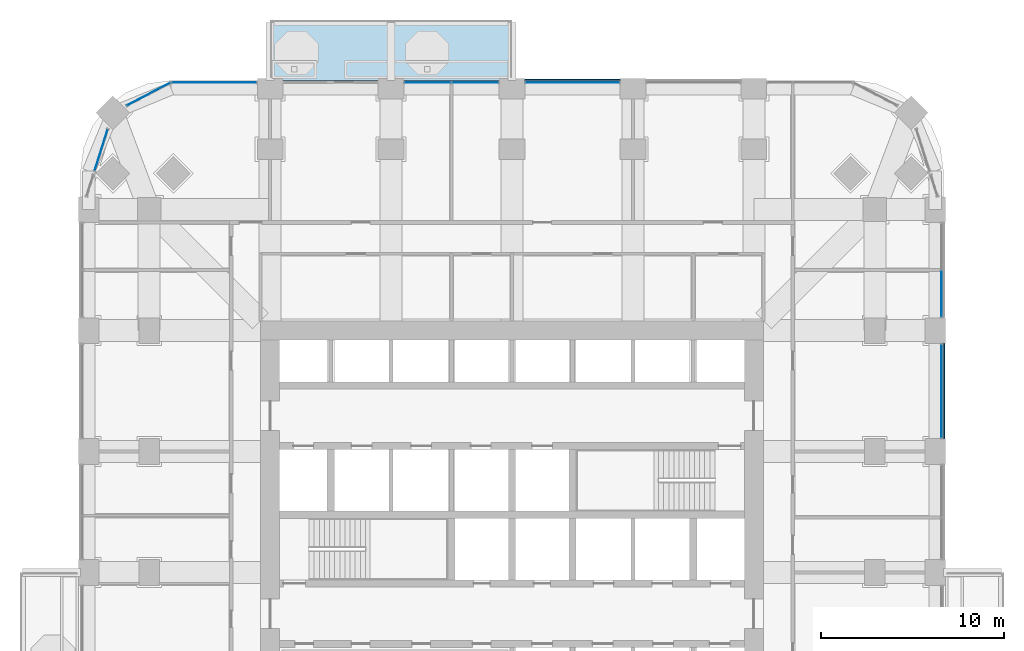
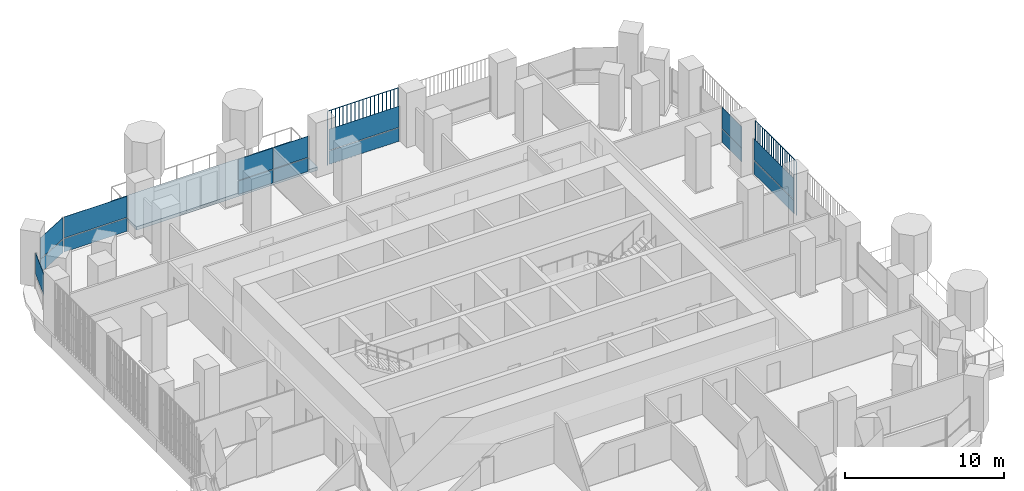
# One storey, part 11 of 21: 17 plates, 1 slab, 7 elements without a shape of their own.
"""IFC4 building model written with IfcOpenShell, lengths in metres."""

from ifc_helpers import new_model, si_unit, direction, frame, origin, origin_2d, place, context, subcontext, project, spatial, polyline, rectangle, outline, extrude, material, layer, layer_set, type_object, element, aggregate, save


model = new_model("IFC4")

# Units and contexts
model_context = context("Model", 3, precision=1e-05, world=origin(), true_north=direction((0.0, 1.0)))
body_context = subcontext(model_context, "Body", "Model", "MODEL_VIEW")
ifc_project = project(units=[si_unit("LENGTHUNIT", "METRE"), si_unit("AREAUNIT", "SQUARE_METRE"), si_unit("VOLUMEUNIT", "CUBIC_METRE"), si_unit("PLANEANGLEUNIT", "RADIAN"), si_unit("MASSUNIT", "GRAM", prefix="KILO")], contexts=[model_context])

# Site, building, storey
site_placement = place(None, origin())
site = spatial("IfcSite", under=ifc_project, at=site_placement, CompositionType="ELEMENT")
building_placement = place(site_placement, origin())
building = spatial("IfcBuilding", under=site, at=building_placement, Name="Cobogo Forest Laboratory Tower", CompositionType="ELEMENT")
storey_placement = place(building_placement, frame((0.0, 0.0, 115.800048828125)))
storey = spatial("IfcBuildingStorey", under=building, at=storey_placement, Name="L26", CompositionType="ELEMENT", Elevation=115.800048828125)

# Slab
ifc_material_1 = material(Name="Concrete HA-40 (C40/50)", Category="concrete")
ifc_layer_1 = layer(ifc_material_1, 0.25)
ifc_layer_set_1 = layer_set([ifc_layer_1], Name="Balcony slab 250")
slab_type = type_object("IfcSlabType", Name="Balcony slab 250", PredefinedType="FLOOR", material=ifc_layer_set_1)
slab_placement = place(storey_placement, frame((0.0, 0.0, -0.25)))
element("IfcSlab", 1, at=slab_placement, inside=storey, type_object=slab_type, Name="Balcony BAL-N1 L26", PredefinedType="FLOOR", context=body_context, shape_type="SweptSolid", body=[
    extrude(outline(polyline([(13.199951171875, 46.64990234375), (26.39990234375, 46.64990234375), (26.39990234375, 49.949951171875), (13.199951171875, 49.949951171875), (13.199951171875, 46.64990234375)])), origin(), (0.0, 0.0, 1.0), 0.25),
])

# Curtain wall, plates
ifc_material_2 = material(Name="Aluminium curtain wall", Category="aluminium")
curtain_wall_type = type_object("IfcCurtainWallType", Name="CW-1 unitised curtain wall, clear glazing, laboratory floors zones A and B", PredefinedType="USERDEFINED", material=ifc_material_2)
curtain_wall_1_placement = place(storey_placement, origin())
curtain_wall_1 = element("IfcCurtainWall", 2, at=curtain_wall_1_placement, inside=storey, type_object=curtain_wall_type, Name="Curtain wall 13 L26", ObjectType="UNITISED CURTAIN WALL", PredefinedType="USERDEFINED")
ifc_material_3 = material(Name="Clear insulated glass", Category="glass")
ifc_layer_2 = layer(ifc_material_3, 0.028076171875)
ifc_layer_set_2 = layer_set([ifc_layer_2], Name="GP-1 clear insulated glass unit 28")
plate_type_1 = type_object("IfcPlateType", Name="GP-1 clear insulated glass unit 28", PredefinedType="CURTAIN_PANEL", material=ifc_layer_set_2)
plate_1_placement = place(storey_placement, frame((49.85009765625, 29.699951171875, 0.0), z_axis=(0.0, 0.0, 1.0), x_axis=(0.0, 1.0, 0.0)))
plate_1 = element("IfcPlate", 3, at=plate_1_placement, type_object=plate_type_1, Name="CW-1 panel 1.1", PredefinedType="CURTAIN_PANEL", context=body_context, shape_type="SweptSolid", body=[
    extrude(rectangle(XDim=5.080078125, YDim=0.028076171875, at=origin_2d()), origin(), (0.0, 0.0, 1.0), 1.02001953125),
])
plate_2_placement = place(storey_placement, frame((49.85009765625, 29.699951171875, 1.079833984375), z_axis=(0.0, 0.0, 1.0), x_axis=(0.0, 1.0, 0.0)))
plate_2 = element("IfcPlate", 4, at=plate_2_placement, type_object=plate_type_1, Name="CW-1 panel 1.2", PredefinedType="CURTAIN_PANEL", context=body_context, shape_type="SweptSolid", body=[
    extrude(rectangle(XDim=5.080078125, YDim=0.028076171875, at=origin_2d()), origin(), (0.0, 0.0, 1.0), 1.6201171875),
])
aggregate(curtain_wall_1, [plate_1, plate_2])

curtain_wall_2_placement = place(storey_placement, origin())
curtain_wall_2 = element("IfcCurtainWall", 5, at=curtain_wall_2_placement, inside=storey, type_object=curtain_wall_type, Name="Curtain wall 14 L26", ObjectType="UNITISED CURTAIN WALL", PredefinedType="USERDEFINED")
plate_3_placement = place(storey_placement, frame((49.85009765625, 35.014892578125, 0.0), z_axis=(0.0, 0.0, 1.0), x_axis=(0.0, 1.0, 0.0)))
plate_3 = element("IfcPlate", 6, at=plate_3_placement, type_object=plate_type_1, Name="CW-1 panel 1.1", PredefinedType="CURTAIN_PANEL", context=body_context, shape_type="SweptSolid", body=[
    extrude(rectangle(XDim=2.510009765625, YDim=0.028076171875, at=origin_2d()), origin(), (0.0, 0.0, 1.0), 1.02001953125),
])
plate_4_placement = place(storey_placement, frame((49.85009765625, 35.014892578125, 1.079833984375), z_axis=(0.0, 0.0, 1.0), x_axis=(0.0, 1.0, 0.0)))
plate_4 = element("IfcPlate", 7, at=plate_4_placement, type_object=plate_type_1, Name="CW-1 panel 1.2", PredefinedType="CURTAIN_PANEL", context=body_context, shape_type="SweptSolid", body=[
    extrude(rectangle(XDim=2.510009765625, YDim=0.028076171875, at=origin_2d()), origin(), (0.0, 0.0, 1.0), 1.6201171875),
])
aggregate(curtain_wall_2, [plate_3, plate_4])

curtain_wall_3_placement = place(storey_placement, origin())
curtain_wall_3 = element("IfcCurtainWall", 8, at=curtain_wall_3_placement, inside=storey, type_object=curtain_wall_type, Name="Curtain wall 20 L26", ObjectType="UNITISED CURTAIN WALL", PredefinedType="USERDEFINED")
plate_5_placement = place(storey_placement, frame((29.699951171875, 46.550048828125, 0.0), z_axis=(0.0, 0.0, 1.0), x_axis=(-1.0, 0.0, 0.0)))
plate_5 = element("IfcPlate", 9, at=plate_5_placement, type_object=plate_type_1, Name="CW-1 panel 1.1", PredefinedType="CURTAIN_PANEL", context=body_context, shape_type="SweptSolid", body=[
    extrude(rectangle(XDim=5.080078125, YDim=0.028076171875, at=origin_2d()), origin(), (0.0, 0.0, 1.0), 1.02001953125),
])
plate_6_placement = place(storey_placement, frame((29.699951171875, 46.550048828125, 1.079833984375), z_axis=(0.0, 0.0, 1.0), x_axis=(-1.0, 0.0, 0.0)))
plate_6 = element("IfcPlate", 10, at=plate_6_placement, type_object=plate_type_1, Name="CW-1 panel 1.2", PredefinedType="CURTAIN_PANEL", context=body_context, shape_type="SweptSolid", body=[
    extrude(rectangle(XDim=5.080078125, YDim=0.028076171875, at=origin_2d()), origin(), (0.0, 0.0, 1.0), 1.6201171875),
])
aggregate(curtain_wall_3, [plate_5, plate_6])

curtain_wall_4_placement = place(storey_placement, origin())
curtain_wall_4 = element("IfcCurtainWall", 11, at=curtain_wall_4_placement, inside=storey, type_object=curtain_wall_type, Name="Curtain wall 21 L26", ObjectType="UNITISED CURTAIN WALL", PredefinedType="USERDEFINED")
plate_7_placement = place(storey_placement, frame((24.385009765625, 46.550048828125, 0.0), z_axis=(0.0, 0.0, 1.0), x_axis=(-1.0, 0.0, 0.0)))
plate_7 = element("IfcPlate", 12, at=plate_7_placement, type_object=plate_type_1, Name="CW-1 panel 1.1", PredefinedType="CURTAIN_PANEL", context=body_context, shape_type="SweptSolid", body=[
    extrude(rectangle(XDim=2.510009765625, YDim=0.028076171875, at=origin_2d()), origin(), (0.0, 0.0, 1.0), 1.02001953125),
])
plate_8_placement = place(storey_placement, frame((24.385009765625, 46.550048828125, 1.079833984375), z_axis=(0.0, 0.0, 1.0), x_axis=(-1.0, 0.0, 0.0)))
plate_8 = element("IfcPlate", 13, at=plate_8_placement, type_object=plate_type_1, Name="CW-1 panel 1.2", PredefinedType="CURTAIN_PANEL", context=body_context, shape_type="SweptSolid", body=[
    extrude(rectangle(XDim=2.510009765625, YDim=0.028076171875, at=origin_2d()), origin(), (0.0, 0.0, 1.0), 1.6201171875),
])
plate_9_placement = place(storey_placement, frame((21.81494140625, 46.550048828125, 0.0), z_axis=(0.0, 0.0, 1.0), x_axis=(-1.0, 0.0, 0.0)))
plate_9 = element("IfcPlate", 14, at=plate_9_placement, type_object=plate_type_1, Name="CW-1 panel 2.1", PredefinedType="CURTAIN_PANEL", context=body_context, shape_type="SweptSolid", body=[
    extrude(rectangle(XDim=2.510009765625, YDim=0.028076171875, at=origin_2d()), origin(), (0.0, 0.0, 1.0), 1.02001953125),
])
plate_10_placement = place(storey_placement, frame((21.81494140625, 46.550048828125, 1.079833984375), z_axis=(0.0, 0.0, 1.0), x_axis=(-1.0, 0.0, 0.0)))
plate_10 = element("IfcPlate", 15, at=plate_10_placement, type_object=plate_type_1, Name="CW-1 panel 2.2", PredefinedType="CURTAIN_PANEL", context=body_context, shape_type="SweptSolid", body=[
    extrude(rectangle(XDim=2.510009765625, YDim=0.028076171875, at=origin_2d()), origin(), (0.0, 0.0, 1.0), 1.6201171875),
])
aggregate(curtain_wall_4, [plate_7, plate_8, plate_9, plate_10])

curtain_wall_5_placement = place(storey_placement, origin())
curtain_wall_5 = element("IfcCurtainWall", 16, at=curtain_wall_5_placement, inside=storey, type_object=curtain_wall_type, Name="Curtain wall 23 L26", ObjectType="UNITISED CURTAIN WALL", PredefinedType="USERDEFINED")
plate_11_placement = place(storey_placement, frame((10.14990234375, 46.550048828125, 0.0), z_axis=(0.0, 0.0, 1.0), x_axis=(-1.0, 0.0, 0.0)))
plate_11 = element("IfcPlate", 17, at=plate_11_placement, type_object=plate_type_1, Name="CW-1 panel 1.1", PredefinedType="CURTAIN_PANEL", context=body_context, shape_type="SweptSolid", body=[
    extrude(rectangle(XDim=4.580078125, YDim=0.028076171875, at=origin_2d()), origin(), (0.0, 0.0, 1.0), 1.02001953125),
])
plate_12_placement = place(storey_placement, frame((10.14990234375, 46.550048828125, 1.079833984375), z_axis=(0.0, 0.0, 1.0), x_axis=(-1.0, 0.0, 0.0)))
plate_12 = element("IfcPlate", 18, at=plate_12_placement, type_object=plate_type_1, Name="CW-1 panel 1.2", PredefinedType="CURTAIN_PANEL", context=body_context, shape_type="SweptSolid", body=[
    extrude(rectangle(XDim=4.580078125, YDim=0.028076171875, at=origin_2d()), origin(), (0.0, 0.0, 1.0), 1.6201171875),
])
aggregate(curtain_wall_5, [plate_11, plate_12])

curtain_wall_6_placement = place(storey_placement, origin())
curtain_wall_6 = element("IfcCurtainWall", 19, at=curtain_wall_6_placement, inside=storey, type_object=curtain_wall_type, Name="Curtain wall 24 L26", ObjectType="UNITISED CURTAIN WALL", PredefinedType="USERDEFINED")
plate_13_placement = place(storey_placement, frame((6.57080078125, 45.90576171875, 0.0), z_axis=(0.0, 0.0, 1.0), x_axis=(-0.885686547075, -0.464283685186, 0.0)))
plate_13 = element("IfcPlate", 20, at=plate_13_placement, type_object=plate_type_1, Name="CW-1 panel 1.1", PredefinedType="CURTAIN_PANEL", context=body_context, shape_type="SweptSolid", body=[
    extrude(rectangle(XDim=2.655517578125, YDim=0.028076171875, at=origin_2d()), origin(), (0.0, 0.0, 1.0), 1.02001953125),
])
plate_14_placement = place(storey_placement, frame((6.57080078125, 45.90576171875, 1.079833984375), z_axis=(0.0, 0.0, 1.0), x_axis=(-0.885686547075, -0.464283685186, 0.0)))
plate_14 = element("IfcPlate", 21, at=plate_14_placement, type_object=plate_type_1, Name="CW-1 panel 1.2", PredefinedType="CURTAIN_PANEL", context=body_context, shape_type="SweptSolid", body=[
    extrude(rectangle(XDim=2.655517578125, YDim=0.028076171875, at=origin_2d()), origin(), (0.0, 0.0, 1.0), 1.6201171875),
])
aggregate(curtain_wall_6, [plate_13, plate_14])

# Curtain wall, plate
curtain_wall_7_placement = place(storey_placement, origin())
curtain_wall_7 = element("IfcCurtainWall", 22, at=curtain_wall_7_placement, inside=storey, type_object=curtain_wall_type, Name="Curtain wall 25 L26", ObjectType="UNITISED CURTAIN WALL", PredefinedType="USERDEFINED")
plate_15_placement = place(storey_placement, frame((3.978759765625, 42.857421875, 1.079833984375), z_axis=(0.0, 0.0, 1.0), x_axis=(-0.301135291996, -0.953581425949, 0.0)))
plate_15 = element("IfcPlate", 23, at=plate_15_placement, type_object=plate_type_1, Name="CW-1 panel 1.2", PredefinedType="CURTAIN_PANEL", context=body_context, shape_type="SweptSolid", body=[
    extrude(rectangle(XDim=2.3681640625, YDim=0.028076171875, at=origin_2d()), origin(), (0.0, 0.0, 1.0), 1.6201171875),
])
aggregate(curtain_wall_7, [plate_15])

# Plates
ifc_material_4 = material(Name="Terracotta", Category="masonry")
plate_type_2 = type_object("IfcPlateType", Name="TB1 terracotta baguette screen", PredefinedType="USERDEFINED", material=ifc_material_4)
plate_16_placement = place(storey_placement, frame((49.977783203125, 27.13134765625, -0.150146484375)))
element("IfcPlate", 24, at=plate_16_placement, inside=storey, type_object=plate_type_2, Name="Baguette screen E4 L26", ObjectType="BAGUETTE SCREEN", PredefinedType="USERDEFINED", context=body_context, shape_type="SweptSolid", body=[
    extrude(outline(polyline([(0.02880859375, 0.011962890625), (0.011962890625, 0.02880859375), (-0.011962890625, 0.02880859375), (-0.02880859375, 0.011962890625), (-0.02880859375, -0.011962890625), (-0.011962890625, -0.02880859375), (0.011962890625, -0.02880859375), (0.02880859375, -0.011962890625), (0.02880859375, 0.011962890625)])), frame((0.0, 0.0, 4.168701171875), z_axis=(0.0, 1.0, 0.0), x_axis=(-1.0, 0.0, 0.0)), (0.0, 0.0, 1.0), 5.137451171875),
    extrude(outline(polyline([(0.02880859375, 0.011962890625), (0.011962890625, 0.02880859375), (-0.011962890625, 0.02880859375), (-0.02880859375, 0.011962890625), (-0.02880859375, -0.011962890625), (-0.011962890625, -0.02880859375), (0.011962890625, -0.02880859375), (0.02880859375, -0.011962890625), (0.02880859375, 0.011962890625)])), origin(), (0.0, 0.0, 1.0), 4.137451171875),
    extrude(outline(polyline([(0.02880859375, 0.011962890625), (0.011962890625, 0.02880859375), (-0.011962890625, 0.02880859375), (-0.02880859375, 0.011962890625), (-0.02880859375, -0.011962890625), (-0.011962890625, -0.02880859375), (0.011962890625, -0.02880859375), (0.02880859375, -0.011962890625), (0.02880859375, 0.011962890625)])), frame((0.0, 0.285400390625, 0.0)), (0.0, 0.0, 1.0), 4.137451171875),
    extrude(outline(polyline([(0.02880859375, 0.011962890625), (0.011962890625, 0.02880859375), (-0.011962890625, 0.02880859375), (-0.02880859375, 0.011962890625), (-0.02880859375, -0.011962890625), (-0.011962890625, -0.02880859375), (0.011962890625, -0.02880859375), (0.02880859375, -0.011962890625), (0.02880859375, 0.011962890625)])), frame((0.0, 0.57080078125, 0.0)), (0.0, 0.0, 1.0), 4.137451171875),
    extrude(outline(polyline([(0.02880859375, 0.011962890625), (0.011962890625, 0.02880859375), (-0.011962890625, 0.02880859375), (-0.02880859375, 0.011962890625), (-0.02880859375, -0.011962890625), (-0.011962890625, -0.02880859375), (0.011962890625, -0.02880859375), (0.02880859375, -0.011962890625), (0.02880859375, 0.011962890625)])), frame((0.0, 0.856201171875, 0.0)), (0.0, 0.0, 1.0), 4.137451171875),
    extrude(outline(polyline([(0.02880859375, 0.011962890625), (0.011962890625, 0.02880859375), (-0.011962890625, 0.02880859375), (-0.02880859375, 0.011962890625), (-0.02880859375, -0.011962890625), (-0.011962890625, -0.02880859375), (0.011962890625, -0.02880859375), (0.02880859375, -0.011962890625), (0.02880859375, 0.011962890625)])), frame((0.0, 1.1416015625, 0.0)), (0.0, 0.0, 1.0), 4.137451171875),
    extrude(outline(polyline([(0.02880859375, 0.011962890625), (0.011962890625, 0.02880859375), (-0.011962890625, 0.02880859375), (-0.02880859375, 0.011962890625), (-0.02880859375, -0.011962890625), (-0.011962890625, -0.02880859375), (0.011962890625, -0.02880859375), (0.02880859375, -0.011962890625), (0.02880859375, 0.011962890625)])), frame((0.0, 1.427001953125, 0.0)), (0.0, 0.0, 1.0), 4.137451171875),
    extrude(outline(polyline([(0.02880859375, 0.011962890625), (0.011962890625, 0.02880859375), (-0.011962890625, 0.02880859375), (-0.02880859375, 0.011962890625), (-0.02880859375, -0.011962890625), (-0.011962890625, -0.02880859375), (0.011962890625, -0.02880859375), (0.02880859375, -0.011962890625), (0.02880859375, 0.011962890625)])), frame((0.0, 1.71240234375, 0.0)), (0.0, 0.0, 1.0), 4.137451171875),
    extrude(outline(polyline([(0.02880859375, 0.011962890625), (0.011962890625, 0.02880859375), (-0.011962890625, 0.02880859375), (-0.02880859375, 0.011962890625), (-0.02880859375, -0.011962890625), (-0.011962890625, -0.02880859375), (0.011962890625, -0.02880859375), (0.02880859375, -0.011962890625), (0.02880859375, 0.011962890625)])), frame((0.0, 1.997802734375, 0.0)), (0.0, 0.0, 1.0), 4.137451171875),
    extrude(outline(polyline([(0.02880859375, 0.011962890625), (0.011962890625, 0.02880859375), (-0.011962890625, 0.02880859375), (-0.02880859375, 0.011962890625), (-0.02880859375, -0.011962890625), (-0.011962890625, -0.02880859375), (0.011962890625, -0.02880859375), (0.02880859375, -0.011962890625), (0.02880859375, 0.011962890625)])), frame((0.0, 2.283203125, 0.0)), (0.0, 0.0, 1.0), 4.137451171875),
    extrude(outline(polyline([(0.02880859375, 0.011962890625), (0.011962890625, 0.02880859375), (-0.011962890625, 0.02880859375), (-0.02880859375, 0.011962890625), (-0.02880859375, -0.011962890625), (-0.011962890625, -0.02880859375), (0.011962890625, -0.02880859375), (0.02880859375, -0.011962890625), (0.02880859375, 0.011962890625)])), frame((0.0, 2.56884765625, 0.0)), (0.0, 0.0, 1.0), 4.137451171875),
    extrude(outline(polyline([(0.02880859375, 0.011962890625), (0.011962890625, 0.02880859375), (-0.011962890625, 0.02880859375), (-0.02880859375, 0.011962890625), (-0.02880859375, -0.011962890625), (-0.011962890625, -0.02880859375), (0.011962890625, -0.02880859375), (0.02880859375, -0.011962890625), (0.02880859375, 0.011962890625)])), frame((0.0, 2.854248046875, 0.0)), (0.0, 0.0, 1.0), 4.137451171875),
    extrude(outline(polyline([(0.02880859375, 0.011962890625), (0.011962890625, 0.02880859375), (-0.011962890625, 0.02880859375), (-0.02880859375, 0.011962890625), (-0.02880859375, -0.011962890625), (-0.011962890625, -0.02880859375), (0.011962890625, -0.02880859375), (0.02880859375, -0.011962890625), (0.02880859375, 0.011962890625)])), frame((0.0, 3.1396484375, 0.0)), (0.0, 0.0, 1.0), 4.137451171875),
    extrude(outline(polyline([(0.02880859375, 0.011962890625), (0.011962890625, 0.02880859375), (-0.011962890625, 0.02880859375), (-0.02880859375, 0.011962890625), (-0.02880859375, -0.011962890625), (-0.011962890625, -0.02880859375), (0.011962890625, -0.02880859375), (0.02880859375, -0.011962890625), (0.02880859375, 0.011962890625)])), frame((0.0, 3.425048828125, 0.0)), (0.0, 0.0, 1.0), 4.137451171875),
    extrude(outline(polyline([(0.02880859375, 0.011962890625), (0.011962890625, 0.02880859375), (-0.011962890625, 0.02880859375), (-0.02880859375, 0.011962890625), (-0.02880859375, -0.011962890625), (-0.011962890625, -0.02880859375), (0.011962890625, -0.02880859375), (0.02880859375, -0.011962890625), (0.02880859375, 0.011962890625)])), frame((0.0, 3.71044921875, 0.0)), (0.0, 0.0, 1.0), 4.137451171875),
    extrude(outline(polyline([(0.02880859375, 0.011962890625), (0.011962890625, 0.02880859375), (-0.011962890625, 0.02880859375), (-0.02880859375, 0.011962890625), (-0.02880859375, -0.011962890625), (-0.011962890625, -0.02880859375), (0.011962890625, -0.02880859375), (0.02880859375, -0.011962890625), (0.02880859375, 0.011962890625)])), frame((0.0, 3.995849609375, 0.0)), (0.0, 0.0, 1.0), 4.137451171875),
    extrude(outline(polyline([(0.02880859375, 0.011962890625), (0.011962890625, 0.02880859375), (-0.011962890625, 0.02880859375), (-0.02880859375, 0.011962890625), (-0.02880859375, -0.011962890625), (-0.011962890625, -0.02880859375), (0.011962890625, -0.02880859375), (0.02880859375, -0.011962890625), (0.02880859375, 0.011962890625)])), frame((0.0, 4.28125, 0.0)), (0.0, 0.0, 1.0), 4.137451171875),
    extrude(outline(polyline([(0.02880859375, 0.011962890625), (0.011962890625, 0.02880859375), (-0.011962890625, 0.02880859375), (-0.02880859375, 0.011962890625), (-0.02880859375, -0.011962890625), (-0.011962890625, -0.02880859375), (0.011962890625, -0.02880859375), (0.02880859375, -0.011962890625), (0.02880859375, 0.011962890625)])), frame((0.0, 4.566650390625, 0.0)), (0.0, 0.0, 1.0), 4.137451171875),
    extrude(outline(polyline([(0.02880859375, 0.011962890625), (0.011962890625, 0.02880859375), (-0.011962890625, 0.02880859375), (-0.02880859375, 0.011962890625), (-0.02880859375, -0.011962890625), (-0.011962890625, -0.02880859375), (0.011962890625, -0.02880859375), (0.02880859375, -0.011962890625), (0.02880859375, 0.011962890625)])), frame((0.0, 4.85205078125, 0.0)), (0.0, 0.0, 1.0), 4.137451171875),
    extrude(outline(polyline([(0.02880859375, 0.011962890625), (0.011962890625, 0.02880859375), (-0.011962890625, 0.02880859375), (-0.02880859375, 0.011962890625), (-0.02880859375, -0.011962890625), (-0.011962890625, -0.02880859375), (0.011962890625, -0.02880859375), (0.02880859375, -0.011962890625), (0.02880859375, 0.011962890625)])), frame((0.0, 5.137451171875, 0.0)), (0.0, 0.0, 1.0), 4.137451171875),
])
plate_17_placement = place(storey_placement, frame((27.13134765625, 46.677978515625, -0.150146484375)))
element("IfcPlate", 25, at=plate_17_placement, inside=storey, type_object=plate_type_2, Name="Baguette screen N3 L26", ObjectType="BAGUETTE SCREEN", PredefinedType="USERDEFINED", context=body_context, shape_type="SweptSolid", body=[
    extrude(outline(polyline([(0.02880859375, 0.011962890625), (0.011962890625, 0.02880859375), (-0.011962890625, 0.02880859375), (-0.02880859375, 0.011962890625), (-0.02880859375, -0.011962890625), (-0.011962890625, -0.02880859375), (0.011962890625, -0.02880859375), (0.02880859375, -0.011962890625), (0.02880859375, 0.011962890625)])), frame((0.0, 0.0, 4.168701171875), z_axis=(1.0, 0.0, 0.0), x_axis=(0.0, 1.0, 0.0)), (0.0, 0.0, 1.0), 5.137451171875),
    extrude(outline(polyline([(0.02880859375, 0.011962890625), (0.011962890625, 0.02880859375), (-0.011962890625, 0.02880859375), (-0.02880859375, 0.011962890625), (-0.02880859375, -0.011962890625), (-0.011962890625, -0.02880859375), (0.011962890625, -0.02880859375), (0.02880859375, -0.011962890625), (0.02880859375, 0.011962890625)])), origin(), (0.0, 0.0, 1.0), 4.137451171875),
    extrude(outline(polyline([(0.02880859375, 0.011962890625), (0.011962890625, 0.02880859375), (-0.011962890625, 0.02880859375), (-0.02880859375, 0.011962890625), (-0.02880859375, -0.011962890625), (-0.011962890625, -0.02880859375), (0.011962890625, -0.02880859375), (0.02880859375, -0.011962890625), (0.02880859375, 0.011962890625)])), frame((0.285400390625, 0.0, 0.0)), (0.0, 0.0, 1.0), 4.137451171875),
    extrude(outline(polyline([(0.02880859375, 0.011962890625), (0.011962890625, 0.02880859375), (-0.011962890625, 0.02880859375), (-0.02880859375, 0.011962890625), (-0.02880859375, -0.011962890625), (-0.011962890625, -0.02880859375), (0.011962890625, -0.02880859375), (0.02880859375, -0.011962890625), (0.02880859375, 0.011962890625)])), frame((0.57080078125, 0.0, 0.0)), (0.0, 0.0, 1.0), 4.137451171875),
    extrude(outline(polyline([(0.02880859375, 0.011962890625), (0.011962890625, 0.02880859375), (-0.011962890625, 0.02880859375), (-0.02880859375, 0.011962890625), (-0.02880859375, -0.011962890625), (-0.011962890625, -0.02880859375), (0.011962890625, -0.02880859375), (0.02880859375, -0.011962890625), (0.02880859375, 0.011962890625)])), frame((0.856201171875, 0.0, 0.0)), (0.0, 0.0, 1.0), 4.137451171875),
    extrude(outline(polyline([(0.02880859375, 0.011962890625), (0.011962890625, 0.02880859375), (-0.011962890625, 0.02880859375), (-0.02880859375, 0.011962890625), (-0.02880859375, -0.011962890625), (-0.011962890625, -0.02880859375), (0.011962890625, -0.02880859375), (0.02880859375, -0.011962890625), (0.02880859375, 0.011962890625)])), frame((1.1416015625, 0.0, 0.0)), (0.0, 0.0, 1.0), 4.137451171875),
    extrude(outline(polyline([(0.02880859375, 0.011962890625), (0.011962890625, 0.02880859375), (-0.011962890625, 0.02880859375), (-0.02880859375, 0.011962890625), (-0.02880859375, -0.011962890625), (-0.011962890625, -0.02880859375), (0.011962890625, -0.02880859375), (0.02880859375, -0.011962890625), (0.02880859375, 0.011962890625)])), frame((1.427001953125, 0.0, 0.0)), (0.0, 0.0, 1.0), 4.137451171875),
    extrude(outline(polyline([(0.02880859375, 0.011962890625), (0.011962890625, 0.02880859375), (-0.011962890625, 0.02880859375), (-0.02880859375, 0.011962890625), (-0.02880859375, -0.011962890625), (-0.011962890625, -0.02880859375), (0.011962890625, -0.02880859375), (0.02880859375, -0.011962890625), (0.02880859375, 0.011962890625)])), frame((1.71240234375, 0.0, 0.0)), (0.0, 0.0, 1.0), 4.137451171875),
    extrude(outline(polyline([(0.02880859375, 0.011962890625), (0.011962890625, 0.02880859375), (-0.011962890625, 0.02880859375), (-0.02880859375, 0.011962890625), (-0.02880859375, -0.011962890625), (-0.011962890625, -0.02880859375), (0.011962890625, -0.02880859375), (0.02880859375, -0.011962890625), (0.02880859375, 0.011962890625)])), frame((1.997802734375, 0.0, 0.0)), (0.0, 0.0, 1.0), 4.137451171875),
    extrude(outline(polyline([(0.02880859375, 0.011962890625), (0.011962890625, 0.02880859375), (-0.011962890625, 0.02880859375), (-0.02880859375, 0.011962890625), (-0.02880859375, -0.011962890625), (-0.011962890625, -0.02880859375), (0.011962890625, -0.02880859375), (0.02880859375, -0.011962890625), (0.02880859375, 0.011962890625)])), frame((2.283203125, 0.0, 0.0)), (0.0, 0.0, 1.0), 4.137451171875),
    extrude(outline(polyline([(0.02880859375, 0.011962890625), (0.011962890625, 0.02880859375), (-0.011962890625, 0.02880859375), (-0.02880859375, 0.011962890625), (-0.02880859375, -0.011962890625), (-0.011962890625, -0.02880859375), (0.011962890625, -0.02880859375), (0.02880859375, -0.011962890625), (0.02880859375, 0.011962890625)])), frame((2.56884765625, 0.0, 0.0)), (0.0, 0.0, 1.0), 4.137451171875),
    extrude(outline(polyline([(0.02880859375, 0.011962890625), (0.011962890625, 0.02880859375), (-0.011962890625, 0.02880859375), (-0.02880859375, 0.011962890625), (-0.02880859375, -0.011962890625), (-0.011962890625, -0.02880859375), (0.011962890625, -0.02880859375), (0.02880859375, -0.011962890625), (0.02880859375, 0.011962890625)])), frame((2.854248046875, 0.0, 0.0)), (0.0, 0.0, 1.0), 4.137451171875),
    extrude(outline(polyline([(0.02880859375, 0.011962890625), (0.011962890625, 0.02880859375), (-0.011962890625, 0.02880859375), (-0.02880859375, 0.011962890625), (-0.02880859375, -0.011962890625), (-0.011962890625, -0.02880859375), (0.011962890625, -0.02880859375), (0.02880859375, -0.011962890625), (0.02880859375, 0.011962890625)])), frame((3.1396484375, 0.0, 0.0)), (0.0, 0.0, 1.0), 4.137451171875),
    extrude(outline(polyline([(0.02880859375, 0.011962890625), (0.011962890625, 0.02880859375), (-0.011962890625, 0.02880859375), (-0.02880859375, 0.011962890625), (-0.02880859375, -0.011962890625), (-0.011962890625, -0.02880859375), (0.011962890625, -0.02880859375), (0.02880859375, -0.011962890625), (0.02880859375, 0.011962890625)])), frame((3.425048828125, 0.0, 0.0)), (0.0, 0.0, 1.0), 4.137451171875),
    extrude(outline(polyline([(0.02880859375, 0.011962890625), (0.011962890625, 0.02880859375), (-0.011962890625, 0.02880859375), (-0.02880859375, 0.011962890625), (-0.02880859375, -0.011962890625), (-0.011962890625, -0.02880859375), (0.011962890625, -0.02880859375), (0.02880859375, -0.011962890625), (0.02880859375, 0.011962890625)])), frame((3.71044921875, 0.0, 0.0)), (0.0, 0.0, 1.0), 4.137451171875),
    extrude(outline(polyline([(0.02880859375, 0.011962890625), (0.011962890625, 0.02880859375), (-0.011962890625, 0.02880859375), (-0.02880859375, 0.011962890625), (-0.02880859375, -0.011962890625), (-0.011962890625, -0.02880859375), (0.011962890625, -0.02880859375), (0.02880859375, -0.011962890625), (0.02880859375, 0.011962890625)])), frame((3.995849609375, 0.0, 0.0)), (0.0, 0.0, 1.0), 4.137451171875),
    extrude(outline(polyline([(0.02880859375, 0.011962890625), (0.011962890625, 0.02880859375), (-0.011962890625, 0.02880859375), (-0.02880859375, 0.011962890625), (-0.02880859375, -0.011962890625), (-0.011962890625, -0.02880859375), (0.011962890625, -0.02880859375), (0.02880859375, -0.011962890625), (0.02880859375, 0.011962890625)])), frame((4.28125, 0.0, 0.0)), (0.0, 0.0, 1.0), 4.137451171875),
    extrude(outline(polyline([(0.02880859375, 0.011962890625), (0.011962890625, 0.02880859375), (-0.011962890625, 0.02880859375), (-0.02880859375, 0.011962890625), (-0.02880859375, -0.011962890625), (-0.011962890625, -0.02880859375), (0.011962890625, -0.02880859375), (0.02880859375, -0.011962890625), (0.02880859375, 0.011962890625)])), frame((4.566650390625, 0.0, 0.0)), (0.0, 0.0, 1.0), 4.137451171875),
    extrude(outline(polyline([(0.02880859375, 0.011962890625), (0.011962890625, 0.02880859375), (-0.011962890625, 0.02880859375), (-0.02880859375, 0.011962890625), (-0.02880859375, -0.011962890625), (-0.011962890625, -0.02880859375), (0.011962890625, -0.02880859375), (0.02880859375, -0.011962890625), (0.02880859375, 0.011962890625)])), frame((4.85205078125, 0.0, 0.0)), (0.0, 0.0, 1.0), 4.137451171875),
    extrude(outline(polyline([(0.02880859375, 0.011962890625), (0.011962890625, 0.02880859375), (-0.011962890625, 0.02880859375), (-0.02880859375, 0.011962890625), (-0.02880859375, -0.011962890625), (-0.011962890625, -0.02880859375), (0.011962890625, -0.02880859375), (0.02880859375, -0.011962890625), (0.02880859375, 0.011962890625)])), frame((5.137451171875, 0.0, 0.0)), (0.0, 0.0, 1.0), 4.137451171875),
])

save(model, "model.ifc")
